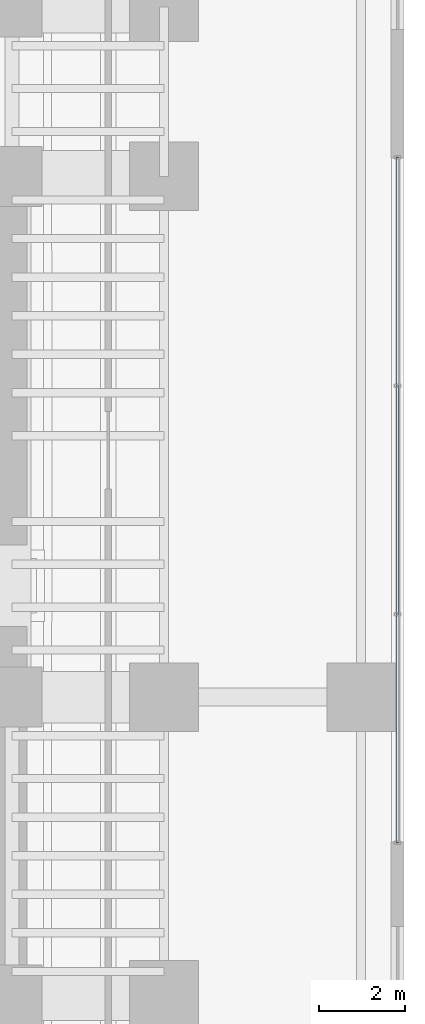
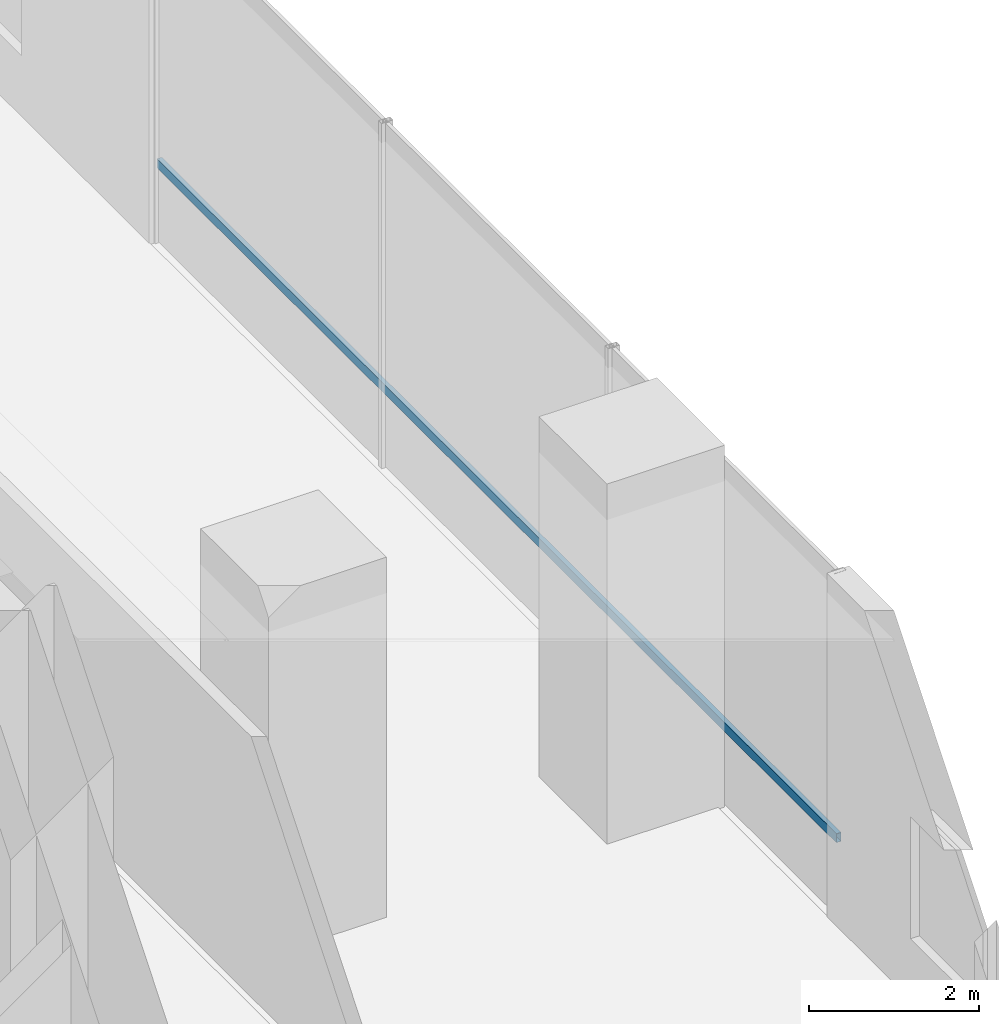
# One storey, part 21 of 41: 1 member, 1 element without a shape of its own.
"""IFC4 building model written with IfcOpenShell, lengths in metres."""

import ifcopenshell
import ifcopenshell.guid

model = None  # the IFC model being written
_history = None  # IfcOwnerHistory: only IFC2X3 demands one
_inside = {}  # id of a spatial element -> (the spatial element, [elements in it])
_under = {}  # id of a project, library or spatial element -> (it, [spatial elements below it])
_declared = {}  # id of a project -> (the project, [libraries it declares])
_typed = {}  # id of a type object -> (the type object, [elements of that type])
_made_of = {}  # id of a material, layer set ... -> (it, [elements and type objects made of it])


def new_model(schema):
    """Start an empty IFC model of exactly this schema.

    Asked for "IFC4X3", IfcOpenShell would pick the latest addendum, in which some entities
    have other attributes; the version numbers below select the first issue.
    IFC2X3 requires an IfcOwnerHistory on every rooted entity: one is made here for all.
    """
    global model, _history
    if schema == "IFC4X3":
        model = ifcopenshell.file(schema_version=(4, 3, 0, 0))
    else:
        model = ifcopenshell.file(schema=schema)
    _inside.clear()
    _under.clear()
    _declared.clear()
    _typed.clear()
    _made_of.clear()
    _history = None
    if model.schema == "IFC2X3":
        org = make("IfcOrganization", Name="unknown")
        user = make(
            "IfcPersonAndOrganization",
            ThePerson=make("IfcPerson", FamilyName="unknown"),
            TheOrganization=org,
        )
        app = make(
            "IfcApplication",
            ApplicationDeveloper=org,
            Version="unknown",
            ApplicationFullName="unknown",
            ApplicationIdentifier="unknown",
        )
        _history = make(
            "IfcOwnerHistory",
            OwningUser=user,
            OwningApplication=app,
            ChangeAction="ADDED",
            CreationDate=0,
        )
    return model


def make(cls, **values):
    """One entity of the class cls with the attributes given. An attribute that is None is left unset."""
    return model.create_entity(
        cls, **{name: value for name, value in values.items() if value is not None}
    )


def rooted(cls, **values):
    """An entity with a GlobalId (a new one), such as an element, a storey or a relation."""
    return make(cls, GlobalId=ifcopenshell.guid.new(), OwnerHistory=_history, **values)


def si_unit(unit_type, name, prefix=None):
    """IfcSIUnit, for example si_unit("LENGTHUNIT", "METRE", prefix="MILLI")."""
    return make("IfcSIUnit", UnitType=unit_type, Prefix=prefix, Name=name)


def assignment(units):
    """IfcUnitAssignment: the units of a project."""
    return None if units is None else make("IfcUnitAssignment", Units=units)


def point(xyz):
    """IfcCartesianPoint."""
    return None if xyz is None else make("IfcCartesianPoint", Coordinates=xyz)


def direction(xyz):
    """IfcDirection."""
    return None if xyz is None else make("IfcDirection", DirectionRatios=xyz)


def frame(location, z_axis=None, x_axis=None):
    """IfcAxis2Placement3D, a coordinate frame: its origin and axes. An axis left out is left unset."""
    return make(
        "IfcAxis2Placement3D",
        Location=point(location),
        Axis=direction(z_axis),
        RefDirection=direction(x_axis),
    )


def frame_2d(location, x_axis=None):
    """IfcAxis2Placement2D, a coordinate frame in the plane: its origin and x axis."""
    return make(
        "IfcAxis2Placement2D", Location=point(location), RefDirection=direction(x_axis)
    )


def origin():
    """The frame at (0, 0, 0) with its axes left unset."""
    return frame((0.0, 0.0, 0.0))


def origin_2d():
    """The frame at (0, 0) in the plane with its x axis left unset."""
    return frame_2d((0.0, 0.0))


def place(relative_to, where):
    """IfcLocalPlacement: puts the frame where relative to a parent placement (None: the world)."""
    return make(
        "IfcLocalPlacement", PlacementRelTo=relative_to, RelativePlacement=where
    )


def context(
    kind, dimensions, precision=None, world=None, true_north=None, identifier=None
):
    """IfcGeometricRepresentationContext, for example the 3D "Model" context."""
    return make(
        "IfcGeometricRepresentationContext",
        ContextIdentifier=identifier,
        ContextType=kind,
        CoordinateSpaceDimension=dimensions,
        Precision=precision,
        WorldCoordinateSystem=world,
        TrueNorth=true_north,
    )


def subcontext(parent, identifier, kind, view, scale=None):
    """IfcGeometricRepresentationSubContext, for example "Body" below "Model"."""
    return make(
        "IfcGeometricRepresentationSubContext",
        ContextIdentifier=identifier,
        ContextType=kind,
        ParentContext=parent,
        TargetScale=scale,
        TargetView=view,
    )


def project(units=None, contexts=None):
    """IfcProject with its units and contexts."""
    return rooted(
        "IfcProject",
        Name="project",
        RepresentationContexts=contexts,
        UnitsInContext=assignment(units),
    )


def spatial(cls, under=None, at=None, **own):
    """A site, building, storey or space (cls), placed at a placement, below another one or the project."""
    s = rooted(cls, ObjectPlacement=at, **own)
    if under is not None:
        _under.setdefault(under.id(), (under, []))[1].append(s)
    return s


def profile(cls, at=None, kind="AREA", **sizes):
    """A parametric profile (cls). Its sizes go by their IFC names, for example OverallWidth=200.0."""
    return make(cls, ProfileType=kind, Position=at, **sizes)


def hollow_rectangle(**sizes):
    """IfcRectangleHollowProfileDef."""
    return profile("IfcRectangleHollowProfileDef", **sizes)


def extrude(swept, where, along, depth):
    """IfcExtrudedAreaSolid: the profile swept, set in the frame where, extruded along a direction by depth."""
    return make(
        "IfcExtrudedAreaSolid",
        SweptArea=swept,
        Position=where,
        ExtrudedDirection=direction(along),
        Depth=depth,
    )


def shape(context_of_items, identifier, shape_type, items):
    """IfcShapeRepresentation: the items that make up one representation, for example the "Body"."""
    return make(
        "IfcShapeRepresentation",
        ContextOfItems=context_of_items,
        RepresentationIdentifier=identifier,
        RepresentationType=shape_type,
        Items=items,
    )


def source(mapping_origin, context_of_items, identifier, shape_type, items):
    """IfcRepresentationMap: a shape defined once, which mapped items show again and again."""
    return make(
        "IfcRepresentationMap",
        MappingOrigin=mapping_origin,
        MappedRepresentation=shape(context_of_items, identifier, shape_type, items),
    )


def transform(
    local_origin,
    x_axis=None,
    y_axis=None,
    z_axis=None,
    scale=None,
    scale2=None,
    scale3=None,
    uniform=True,
):
    """IfcCartesianTransformationOperator3D, or its non-uniform kind. x_axis, y_axis, z_axis: its Axis1, 2, 3."""
    if uniform:
        return make(
            "IfcCartesianTransformationOperator3D",
            Axis1=direction(x_axis),
            Axis2=direction(y_axis),
            LocalOrigin=point(local_origin),
            Scale=scale,
            Axis3=direction(z_axis),
        )
    return make(
        "IfcCartesianTransformationOperator3DnonUniform",
        Axis1=direction(x_axis),
        Axis2=direction(y_axis),
        LocalOrigin=point(local_origin),
        Scale=scale,
        Axis3=direction(z_axis),
        Scale2=scale2,
        Scale3=scale3,
    )


def mapped(mapping_source, mapping_target):
    """IfcMappedItem: shows the shape of a source again, moved by a transform."""
    return make(
        "IfcMappedItem", MappingSource=mapping_source, MappingTarget=mapping_target
    )


def material(Name=None, Category=None):
    """IfcMaterial."""
    return make("IfcMaterial", Name=Name, Category=Category)


def material_profile(
    of_material, cross_section, Name=None, Category=None, Priority=None
):
    """IfcMaterialProfile: a cross section and its material."""
    return make(
        "IfcMaterialProfile",
        Name=Name,
        Material=of_material,
        Profile=cross_section,
        Priority=Priority,
        Category=Category,
    )


def profile_set(profiles, Name=None, composite=None):
    """IfcMaterialProfileSet."""
    return make(
        "IfcMaterialProfileSet",
        Name=Name,
        MaterialProfiles=profiles,
        CompositeProfile=composite,
    )


def made_of(thing, what):
    """Note that an element or type object is made of a material, layer set ...; save() writes the relation."""
    if what is not None:
        _made_of.setdefault(what.id(), (what, []))[1].append(thing)
    return thing


def type_object(cls, material=None, **own):
    """A type object (cls), such as IfcWallType, which elements share."""
    return made_of(rooted(cls, **own), material)


def element(
    cls,
    number,
    at=None,
    inside=None,
    cuts=None,
    type_object=None,
    material=None,
    context=None,
    identifier="Body",
    shape_type=None,
    held_by="IfcProductDefinitionShape",
    body=None,
    shapes=None,
    **own,
):
    """One element of the class cls, such as IfcWall. Its Tag is "e" and its number.

    at: its placement. inside: the storey or other place that contains it. cuts: it is an
    opening in that element (IfcRelVoidsElement). A single representation is given by context,
    identifier, shape_type and body (its items); several are given by shapes. held_by: the class
    of the entity that holds the representations. save() writes the other relations.
    """
    e = rooted(cls, Tag="e%d" % number, ObjectPlacement=at, **own)
    if body is not None:
        shapes = [shape(context, identifier, shape_type, body)]
    if shapes is not None:
        e.Representation = make(held_by, Representations=shapes)
    if inside is not None:
        _inside.setdefault(inside.id(), (inside, []))[1].append(e)
    if cuts is not None:
        rooted(
            "IfcRelVoidsElement", RelatingBuildingElement=cuts, RelatedOpeningElement=e
        )
    if type_object is not None:
        _typed.setdefault(type_object.id(), (type_object, []))[1].append(e)
    return made_of(e, material)


def aggregate(whole, parts):
    """IfcRelAggregates: a whole, such as a stair, and the parts it consists of."""
    return rooted("IfcRelAggregates", RelatingObject=whole, RelatedObjects=parts)


def save(model, path):
    """Write the relations noted so far, then the file.

    IfcRelAggregates (storeys below a building ...), IfcRelContainedInSpatialStructure (elements
    in a storey), IfcRelDefinesByType, IfcRelAssociatesMaterial and IfcRelDeclares: one each for
    every whole, place, type object, material and project.
    """
    for whole, parts in _under.values():
        aggregate(whole, parts)
    for where, things in _inside.values():
        rooted(
            "IfcRelContainedInSpatialStructure",
            RelatedElements=things,
            RelatingStructure=where,
        )
    for kind, things in _typed.values():
        rooted("IfcRelDefinesByType", RelatedObjects=things, RelatingType=kind)
    for what, things in _made_of.values():
        rooted("IfcRelAssociatesMaterial", RelatedObjects=things, RelatingMaterial=what)
    for by, libraries in _declared.values():
        rooted("IfcRelDeclares", RelatingContext=by, RelatedDefinitions=libraries)
    model.write(path)


model = new_model("IFC4")

# Units and contexts
model_context = context("Model", 3, precision=1e-05, world=origin(), true_north=direction((0.0, 1.0)))
body_context = subcontext(model_context, "Body", "Model", "MODEL_VIEW")
ifc_project = project(units=[si_unit("LENGTHUNIT", "METRE"), si_unit("AREAUNIT", "SQUARE_METRE"), si_unit("VOLUMEUNIT", "CUBIC_METRE"), si_unit("PLANEANGLEUNIT", "RADIAN"), si_unit("MASSUNIT", "GRAM", prefix="KILO")], contexts=[model_context])

# Site, building, storey
site_placement = place(None, origin())
site = spatial("IfcSite", under=ifc_project, at=site_placement, CompositionType="ELEMENT")
building_placement = place(site_placement, origin())
building = spatial("IfcBuilding", under=site, at=building_placement, Name="Valdorenza Pilgrim Sanctuary Tower", CompositionType="ELEMENT")
storey_placement = place(building_placement, frame((0.0, 0.0, 20.800048828125)))
storey = spatial("IfcBuildingStorey", under=building, at=storey_placement, Name="L04", CompositionType="ELEMENT", Elevation=20.800048828125)

# Curtain wall, member
ifc_material_1 = material(Name="Curtain-wall IGU glazing", Category="glass")
curtain_wall_type = type_object("IfcCurtainWallType", Name="CW-SYS-01", PredefinedType="NOTDEFINED", material=ifc_material_1)
curtain_wall_placement = place(storey_placement, origin())
curtain_wall = element("IfcCurtainWall", 1, at=curtain_wall_placement, inside=storey, type_object=curtain_wall_type, Name="L04 Curtain Wall CW-POD-L04-EE", PredefinedType="NOTDEFINED")
ifc_material_2 = material(Name="Anodised aluminium AW-6060", Category="aluminium")
ifc_material_profile = material_profile(ifc_material_2, hollow_rectangle(XDim=0.06494140625, YDim=0.1298828125, WallThickness=0.00341796875, at=origin_2d()), Name="ALU-T 130x65x3.5")
ifc_profile_set = profile_set([ifc_material_profile], Name="Anodised aluminium AW-6060")
member_type = type_object("IfcMemberType", Name="CW-TRN-01", PredefinedType="USERDEFINED", material=ifc_profile_set)
shared_shape = source(origin(), body_context, "Body", "SweptSolid", [
    extrude(hollow_rectangle(XDim=0.06494140625, YDim=0.1298828125, WallThickness=0.00341796875, at=origin_2d()), origin(), (0.0, 0.0, 1.0), 16.0),
])
member_placement = place(storey_placement, frame((33.85009765625, -6.0, 1.119873046875), z_axis=(0.0, 1.0, 0.0), x_axis=(-1.0, 0.0, 0.0)))
member = element("IfcMember", 2, at=member_placement, type_object=member_type, Name="CW-POD-L04-EE Transom 1", ObjectType="TRANSOM", PredefinedType="USERDEFINED", context=body_context, shape_type="MappedRepresentation", body=[
    mapped(shared_shape, transform((0.0, 0.0, 0.0), x_axis=(1.0, 0.0, 0.0), y_axis=(0.0, 1.0, 0.0), z_axis=(0.0, 0.0, 1.0), scale=1.0)),
])
aggregate(curtain_wall, [member])

save(model, "model.ifc")
